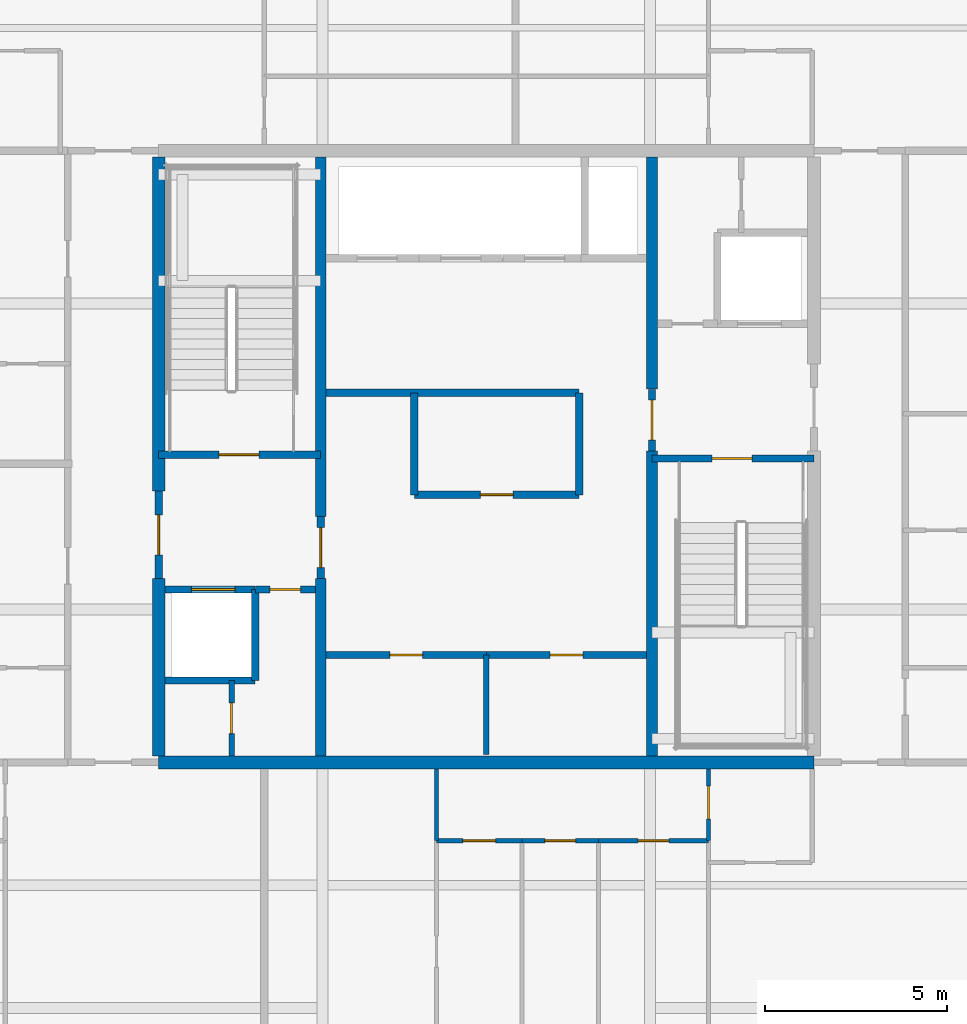
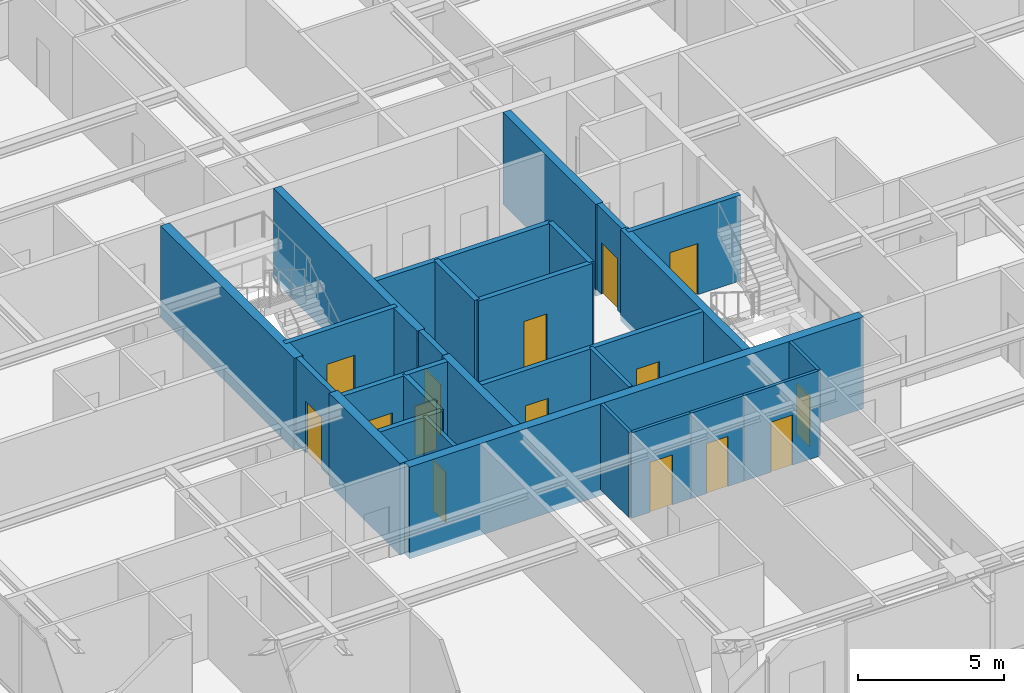
# One storey, part 27 of 37: 29 walls, 15 doors, 15 openings.
"""IFC4 building model written with IfcOpenShell, lengths in metres."""

import ifcopenshell
import ifcopenshell.guid

model = None  # the IFC model being written
_history = None  # IfcOwnerHistory: only IFC2X3 demands one
_inside = {}  # id of a spatial element -> (the spatial element, [elements in it])
_under = {}  # id of a project, library or spatial element -> (it, [spatial elements below it])
_declared = {}  # id of a project -> (the project, [libraries it declares])
_typed = {}  # id of a type object -> (the type object, [elements of that type])
_made_of = {}  # id of a material, layer set ... -> (it, [elements and type objects made of it])


def new_model(schema):
    """Start an empty IFC model of exactly this schema.

    Asked for "IFC4X3", IfcOpenShell would pick the latest addendum, in which some entities
    have other attributes; the version numbers below select the first issue.
    IFC2X3 requires an IfcOwnerHistory on every rooted entity: one is made here for all.
    """
    global model, _history
    if schema == "IFC4X3":
        model = ifcopenshell.file(schema_version=(4, 3, 0, 0))
    else:
        model = ifcopenshell.file(schema=schema)
    _inside.clear()
    _under.clear()
    _declared.clear()
    _typed.clear()
    _made_of.clear()
    _history = None
    if model.schema == "IFC2X3":
        org = make("IfcOrganization", Name="unknown")
        user = make(
            "IfcPersonAndOrganization",
            ThePerson=make("IfcPerson", FamilyName="unknown"),
            TheOrganization=org,
        )
        app = make(
            "IfcApplication",
            ApplicationDeveloper=org,
            Version="unknown",
            ApplicationFullName="unknown",
            ApplicationIdentifier="unknown",
        )
        _history = make(
            "IfcOwnerHistory",
            OwningUser=user,
            OwningApplication=app,
            ChangeAction="ADDED",
            CreationDate=0,
        )
    return model


def make(cls, **values):
    """One entity of the class cls with the attributes given. An attribute that is None is left unset."""
    return model.create_entity(
        cls, **{name: value for name, value in values.items() if value is not None}
    )


def rooted(cls, **values):
    """An entity with a GlobalId (a new one), such as an element, a storey or a relation."""
    return make(cls, GlobalId=ifcopenshell.guid.new(), OwnerHistory=_history, **values)


def si_unit(unit_type, name, prefix=None):
    """IfcSIUnit, for example si_unit("LENGTHUNIT", "METRE", prefix="MILLI")."""
    return make("IfcSIUnit", UnitType=unit_type, Prefix=prefix, Name=name)


def assignment(units):
    """IfcUnitAssignment: the units of a project."""
    return None if units is None else make("IfcUnitAssignment", Units=units)


def point(xyz):
    """IfcCartesianPoint."""
    return None if xyz is None else make("IfcCartesianPoint", Coordinates=xyz)


def direction(xyz):
    """IfcDirection."""
    return None if xyz is None else make("IfcDirection", DirectionRatios=xyz)


def frame(location, z_axis=None, x_axis=None):
    """IfcAxis2Placement3D, a coordinate frame: its origin and axes. An axis left out is left unset."""
    return make(
        "IfcAxis2Placement3D",
        Location=point(location),
        Axis=direction(z_axis),
        RefDirection=direction(x_axis),
    )


def frame_2d(location, x_axis=None):
    """IfcAxis2Placement2D, a coordinate frame in the plane: its origin and x axis."""
    return make(
        "IfcAxis2Placement2D", Location=point(location), RefDirection=direction(x_axis)
    )


def origin():
    """The frame at (0, 0, 0) with its axes left unset."""
    return frame((0.0, 0.0, 0.0))


def place(relative_to, where):
    """IfcLocalPlacement: puts the frame where relative to a parent placement (None: the world)."""
    return make(
        "IfcLocalPlacement", PlacementRelTo=relative_to, RelativePlacement=where
    )


def context(
    kind, dimensions, precision=None, world=None, true_north=None, identifier=None
):
    """IfcGeometricRepresentationContext, for example the 3D "Model" context."""
    return make(
        "IfcGeometricRepresentationContext",
        ContextIdentifier=identifier,
        ContextType=kind,
        CoordinateSpaceDimension=dimensions,
        Precision=precision,
        WorldCoordinateSystem=world,
        TrueNorth=true_north,
    )


def subcontext(parent, identifier, kind, view, scale=None):
    """IfcGeometricRepresentationSubContext, for example "Body" below "Model"."""
    return make(
        "IfcGeometricRepresentationSubContext",
        ContextIdentifier=identifier,
        ContextType=kind,
        ParentContext=parent,
        TargetScale=scale,
        TargetView=view,
    )


def project(units=None, contexts=None):
    """IfcProject with its units and contexts."""
    return rooted(
        "IfcProject",
        Name="project",
        RepresentationContexts=contexts,
        UnitsInContext=assignment(units),
    )


def spatial(cls, under=None, at=None, **own):
    """A site, building, storey or space (cls), placed at a placement, below another one or the project."""
    s = rooted(cls, ObjectPlacement=at, **own)
    if under is not None:
        _under.setdefault(under.id(), (under, []))[1].append(s)
    return s


def profile(cls, at=None, kind="AREA", **sizes):
    """A parametric profile (cls). Its sizes go by their IFC names, for example OverallWidth=200.0."""
    return make(cls, ProfileType=kind, Position=at, **sizes)


def rectangle(**sizes):
    """IfcRectangleProfileDef."""
    return profile("IfcRectangleProfileDef", **sizes)


def extrude(swept, where, along, depth):
    """IfcExtrudedAreaSolid: the profile swept, set in the frame where, extruded along a direction by depth."""
    return make(
        "IfcExtrudedAreaSolid",
        SweptArea=swept,
        Position=where,
        ExtrudedDirection=direction(along),
        Depth=depth,
    )


def shape(context_of_items, identifier, shape_type, items):
    """IfcShapeRepresentation: the items that make up one representation, for example the "Body"."""
    return make(
        "IfcShapeRepresentation",
        ContextOfItems=context_of_items,
        RepresentationIdentifier=identifier,
        RepresentationType=shape_type,
        Items=items,
    )


def source(mapping_origin, context_of_items, identifier, shape_type, items):
    """IfcRepresentationMap: a shape defined once, which mapped items show again and again."""
    return make(
        "IfcRepresentationMap",
        MappingOrigin=mapping_origin,
        MappedRepresentation=shape(context_of_items, identifier, shape_type, items),
    )


def transform(
    local_origin,
    x_axis=None,
    y_axis=None,
    z_axis=None,
    scale=None,
    scale2=None,
    scale3=None,
    uniform=True,
):
    """IfcCartesianTransformationOperator3D, or its non-uniform kind. x_axis, y_axis, z_axis: its Axis1, 2, 3."""
    if uniform:
        return make(
            "IfcCartesianTransformationOperator3D",
            Axis1=direction(x_axis),
            Axis2=direction(y_axis),
            LocalOrigin=point(local_origin),
            Scale=scale,
            Axis3=direction(z_axis),
        )
    return make(
        "IfcCartesianTransformationOperator3DnonUniform",
        Axis1=direction(x_axis),
        Axis2=direction(y_axis),
        LocalOrigin=point(local_origin),
        Scale=scale,
        Axis3=direction(z_axis),
        Scale2=scale2,
        Scale3=scale3,
    )


def mapped(mapping_source, mapping_target):
    """IfcMappedItem: shows the shape of a source again, moved by a transform."""
    return make(
        "IfcMappedItem", MappingSource=mapping_source, MappingTarget=mapping_target
    )


def material(Name=None, Category=None):
    """IfcMaterial."""
    return make("IfcMaterial", Name=Name, Category=Category)


def layer(
    of_material, thickness, ventilated=None, Name=None, Category=None, Priority=None
):
    """IfcMaterialLayer: one layer of a wall or slab, of a material (None: an air gap)."""
    return make(
        "IfcMaterialLayer",
        Material=of_material,
        LayerThickness=thickness,
        IsVentilated=ventilated,
        Name=Name,
        Category=Category,
        Priority=Priority,
    )


def layer_set(layers, Name=None):
    """IfcMaterialLayerSet."""
    return make("IfcMaterialLayerSet", MaterialLayers=layers, LayerSetName=Name)


def made_of(thing, what):
    """Note that an element or type object is made of a material, layer set ...; save() writes the relation."""
    if what is not None:
        _made_of.setdefault(what.id(), (what, []))[1].append(thing)
    return thing


def type_object(cls, material=None, **own):
    """A type object (cls), such as IfcWallType, which elements share."""
    return made_of(rooted(cls, **own), material)


def element(
    cls,
    number,
    at=None,
    inside=None,
    cuts=None,
    type_object=None,
    material=None,
    context=None,
    identifier="Body",
    shape_type=None,
    held_by="IfcProductDefinitionShape",
    body=None,
    shapes=None,
    **own,
):
    """One element of the class cls, such as IfcWall. Its Tag is "e" and its number.

    at: its placement. inside: the storey or other place that contains it. cuts: it is an
    opening in that element (IfcRelVoidsElement). A single representation is given by context,
    identifier, shape_type and body (its items); several are given by shapes. held_by: the class
    of the entity that holds the representations. save() writes the other relations.
    """
    e = rooted(cls, Tag="e%d" % number, ObjectPlacement=at, **own)
    if body is not None:
        shapes = [shape(context, identifier, shape_type, body)]
    if shapes is not None:
        e.Representation = make(held_by, Representations=shapes)
    if inside is not None:
        _inside.setdefault(inside.id(), (inside, []))[1].append(e)
    if cuts is not None:
        rooted(
            "IfcRelVoidsElement", RelatingBuildingElement=cuts, RelatedOpeningElement=e
        )
    if type_object is not None:
        _typed.setdefault(type_object.id(), (type_object, []))[1].append(e)
    return made_of(e, material)


def fill(opening, filler):
    """IfcRelFillsElement: the door or window that sits in an opening."""
    return rooted(
        "IfcRelFillsElement",
        RelatingOpeningElement=opening,
        RelatedBuildingElement=filler,
    )


def aggregate(whole, parts):
    """IfcRelAggregates: a whole, such as a stair, and the parts it consists of."""
    return rooted("IfcRelAggregates", RelatingObject=whole, RelatedObjects=parts)


def save(model, path):
    """Write the relations noted so far, then the file.

    IfcRelAggregates (storeys below a building ...), IfcRelContainedInSpatialStructure (elements
    in a storey), IfcRelDefinesByType, IfcRelAssociatesMaterial and IfcRelDeclares: one each for
    every whole, place, type object, material and project.
    """
    for whole, parts in _under.values():
        aggregate(whole, parts)
    for where, things in _inside.values():
        rooted(
            "IfcRelContainedInSpatialStructure",
            RelatedElements=things,
            RelatingStructure=where,
        )
    for kind, things in _typed.values():
        rooted("IfcRelDefinesByType", RelatedObjects=things, RelatingType=kind)
    for what, things in _made_of.values():
        rooted("IfcRelAssociatesMaterial", RelatedObjects=things, RelatingMaterial=what)
    for by, libraries in _declared.values():
        rooted("IfcRelDeclares", RelatingContext=by, RelatedDefinitions=libraries)
    model.write(path)


model = new_model("IFC4")

# Units and contexts
model_context = context("Model", 3, precision=1e-05, world=origin(), true_north=direction((0.0, 1.0)))
body_context = subcontext(model_context, "Body", "Model", "MODEL_VIEW")
ifc_project = project(units=[si_unit("LENGTHUNIT", "METRE"), si_unit("AREAUNIT", "SQUARE_METRE"), si_unit("VOLUMEUNIT", "CUBIC_METRE"), si_unit("PLANEANGLEUNIT", "RADIAN"), si_unit("MASSUNIT", "GRAM", prefix="KILO")], contexts=[model_context])

# Site, building, storey
site_placement = place(None, origin())
site = spatial("IfcSite", under=ifc_project, at=site_placement, CompositionType="ELEMENT")
building_placement = place(site_placement, origin())
building = spatial("IfcBuilding", under=site, at=building_placement, Name="Serunith Strait Residences", CompositionType="ELEMENT")
storey_placement = place(building_placement, frame((0.0, 0.0, 275.89990234375)))
storey = spatial("IfcBuildingStorey", under=building, at=storey_placement, Name="L69", CompositionType="ELEMENT", Elevation=275.89990234375)

# Wall, opening, door
ifc_material_1 = material(Name="Fire-rated masonry service closet wall", Category="masonry")
ifc_layer_1 = layer(ifc_material_1, 0.14990234375, Name="Fire-rated masonry service closet wall")
ifc_layer_set_1 = layer_set([ifc_layer_1], Name="Fire-rated masonry service closet wall")
wall_type_1 = type_object("IfcWallType", Name="IW-BOH-150", PredefinedType="PARTITIONING", material=ifc_layer_set_1)
wall_1_placement = place(storey_placement, frame((25.39990234375, 16.97509765625, 0.0), z_axis=(0.0, 0.0, 1.0), x_axis=(0.0, 1.0, 0.0)))
wall_1 = element("IfcWall", 1, at=wall_1_placement, inside=storey, type_object=wall_type_1, Name="L69 Partition Wall 011", PredefinedType="PARTITIONING", context=body_context, shape_type="SweptSolid", body=[
    extrude(rectangle(XDim=2.074951171875, YDim=0.14990234375, at=frame_2d((1.03759765625, 0.0))), origin(), (0.0, 0.0, 1.0), 3.590087890625),
])
opening_1_placement = place(wall_1_placement, frame((0.612060546875, 0.0, 0.0)))
opening_1 = element("IfcOpeningElement", 2, at=opening_1_placement, cuts=wall_1, Name="Opening FD-850", PredefinedType="OPENING", context=body_context, shape_type="SweptSolid", body=[
    extrude(rectangle(XDim=0.85009765625, YDim=2.10009765625, at=frame_2d((0.425048828125, 1.050048828125))), frame((0.0, 0.0849609375, 0.0), z_axis=(0.0, -1.0, 0.0), x_axis=(1.0, 0.0, 0.0)), (0.0, 0.0, 1.0), 0.169921875),
])
ifc_material_2 = material(Name="Powder-coated steel service closet door", Category="steel")
door_type_1 = type_object("IfcDoorType", Name="FD-BOH-850", OperationType="NOTDEFINED", PredefinedType="DOOR", material=ifc_material_2)
shared_shape_1 = source(origin(), body_context, "Body", "SweptSolid", [
    extrude(rectangle(XDim=0.85009765625, YDim=2.10009765625, at=frame_2d((0.425048828125, 1.050048828125))), frame((0.0, 0.02490234375, 0.0), z_axis=(0.0, -1.0, 0.0), x_axis=(1.0, 0.0, 0.0)), (0.0, 0.0, 1.0), 0.050048828125),
])
door_1_placement = place(opening_1_placement, origin())
door_1 = element("IfcDoor", 3, at=door_1_placement, inside=storey, type_object=door_type_1, Name="L69 Sprinkler Plant Door", OperationType="SINGLE_SWING_RIGHT", OverallHeight=2.10009765625, OverallWidth=0.85009765625, PredefinedType="DOOR", context=body_context, shape_type="MappedRepresentation", body=[
    mapped(shared_shape_1, transform((0.0, 0.0, 0.0), scale=1.0)),
])
fill(opening_1, door_1)

# Wall
wall_2_placement = place(storey_placement, frame((32.39990234375, 17.02001953125, 0.0), z_axis=(0.0, 0.0, 1.0), x_axis=(0.0, 1.0, 0.0)))
element("IfcWall", 4, at=wall_2_placement, inside=storey, type_object=wall_type_1, Name="L69 Partition Wall 015", PredefinedType="PARTITIONING", context=body_context, shape_type="SweptSolid", body=[
    extrude(rectangle(XDim=2.72998046875, YDim=0.14990234375, at=frame_2d((1.364990234375, 0.0))), origin(), (0.0, 0.0, 1.0), 3.590087890625),
])

# Wall, opening, door
ifc_material_3 = material(Name="Lightweight steel-stud gypsum partition", Category="steel")
ifc_layer_2 = layer(ifc_material_3, 0.1201171875, Name="Lightweight steel-stud gypsum partition")
ifc_layer_set_2 = layer_set([ifc_layer_2], Name="Lightweight steel-stud gypsum partition")
wall_type_2 = type_object("IfcWallType", Name="IW-PART-120", PredefinedType="PARTITIONING", material=ifc_layer_set_2)
wall_3_placement = place(storey_placement, frame((38.5, 14.64990234375, 0.0), z_axis=(0.0, 0.0, 1.0), x_axis=(0.0, 1.0, 0.0)))
wall_3 = element("IfcWall", 5, at=wall_3_placement, inside=storey, type_object=wall_type_2, Name="L69 Partition Wall 048", PredefinedType="PARTITIONING", context=body_context, shape_type="SweptSolid", body=[
    extrude(rectangle(XDim=1.97509765625, YDim=0.1201171875, at=frame_2d((0.987548828125, 0.0))), origin(), (0.0, 0.0, 1.0), 3.590087890625),
])
opening_2_placement = place(wall_3_placement, frame((0.60107421875, 0.0, 0.0)))
opening_2 = element("IfcOpeningElement", 6, at=opening_2_placement, cuts=wall_3, Name="Opening D-RM900", PredefinedType="OPENING", context=body_context, shape_type="SweptSolid", body=[
    extrude(rectangle(XDim=0.89990234375, YDim=2.10009765625, at=frame_2d((0.449951171875, 1.050048828125))), frame((0.0, 0.070068359375, 0.0), z_axis=(0.0, -1.0, 0.0), x_axis=(1.0, 0.0, 0.0)), (0.0, 0.0, 1.0), 0.14013671875),
])
ifc_material_4 = material(Name="Engineered timber flush bedroom door", Category="wood")
door_type_2 = type_object("IfcDoorType", Name="ID-ROOM-900", OperationType="NOTDEFINED", PredefinedType="DOOR", material=ifc_material_4)
shared_shape_2 = source(origin(), body_context, "Body", "SweptSolid", [
    extrude(rectangle(XDim=0.89990234375, YDim=2.10009765625, at=frame_2d((0.449951171875, 1.050048828125))), frame((0.0, 0.02490234375, 0.0), z_axis=(0.0, -1.0, 0.0), x_axis=(1.0, 0.0, 0.0)), (0.0, 0.0, 1.0), 0.050048828125),
])
door_2_placement = place(opening_2_placement, origin())
door_2 = element("IfcDoor", 7, at=door_2_placement, inside=storey, type_object=door_type_2, Name="L69 Hall W 6902 Door", OperationType="SINGLE_SWING_RIGHT", OverallHeight=2.10009765625, OverallWidth=0.89990234375, PredefinedType="DOOR", context=body_context, shape_type="MappedRepresentation", body=[
    mapped(shared_shape_2, transform((0.0, 0.0, 0.0), scale=1.0)),
])
fill(opening_2, door_2)

wall_4_placement = place(storey_placement, frame((33.3798828125, 14.64990234375, 0.0), z_axis=(0.0, 0.0, 1.0), x_axis=(1.0, 0.0, 0.0)))
wall_4 = element("IfcWall", 8, at=wall_4_placement, inside=storey, type_object=wall_type_2, Name="L69 Partition Wall 054", PredefinedType="PARTITIONING", context=body_context, shape_type="SweptSolid", body=[
    extrude(rectangle(XDim=2.10009765625, YDim=0.1201171875, at=frame_2d((1.050048828125, 0.0))), origin(), (0.0, 0.0, 1.0), 3.590087890625),
])
opening_3_placement = place(wall_4_placement, frame((0.625, 0.0, 0.0)))
opening_3 = element("IfcOpeningElement", 9, at=opening_3_placement, cuts=wall_4, Name="Opening D-BTH850", PredefinedType="OPENING", context=body_context, shape_type="SweptSolid", body=[
    extrude(rectangle(XDim=0.85009765625, YDim=2.10009765625, at=frame_2d((0.425048828125, 1.050048828125))), frame((0.0, 0.070068359375, 0.0), z_axis=(0.0, -1.0, 0.0), x_axis=(1.0, 0.0, 0.0)), (0.0, 0.0, 1.0), 0.14013671875),
])
ifc_material_5 = material(Name="Moisture-resistant timber bathroom door", Category="wood")
door_type_3 = type_object("IfcDoorType", Name="ID-BATH-850", OperationType="NOTDEFINED", PredefinedType="DOOR", material=ifc_material_5)
door_3_placement = place(opening_3_placement, origin())
door_3 = element("IfcDoor", 10, at=door_3_placement, inside=storey, type_object=door_type_3, Name="L69 Bathroom 6902 Door", OperationType="SINGLE_SWING_RIGHT", OverallHeight=2.10009765625, OverallWidth=0.85009765625, PredefinedType="DOOR", context=body_context, shape_type="MappedRepresentation", body=[
    mapped(shared_shape_1, transform((0.0, 0.0, 0.0), scale=1.0)),
])
fill(opening_3, door_3)

wall_5_placement = place(storey_placement, frame((35.48193359375, 14.64990234375, 0.0), z_axis=(0.0, 0.0, 1.0), x_axis=(1.0, 0.0, 0.0)))
wall_5 = element("IfcWall", 11, at=wall_5_placement, inside=storey, type_object=wall_type_2, Name="L69 Partition Wall 055", PredefinedType="PARTITIONING", context=body_context, shape_type="SweptSolid", body=[
    extrude(rectangle(XDim=3.01806640625, YDim=0.1201171875, at=frame_2d((1.509033203125, 0.0))), origin(), (0.0, 0.0, 1.0), 3.590087890625),
])
opening_4_placement = place(wall_5_placement, frame((1.083984375, 0.0, 0.0)))
opening_4 = element("IfcOpeningElement", 12, at=opening_4_placement, cuts=wall_5, Name="Opening D-RM850", PredefinedType="OPENING", context=body_context, shape_type="SweptSolid", body=[
    extrude(rectangle(XDim=0.85009765625, YDim=2.10009765625, at=frame_2d((0.425048828125, 1.050048828125))), frame((0.0, 0.070068359375, 0.0), z_axis=(0.0, -1.0, 0.0), x_axis=(1.0, 0.0, 0.0)), (0.0, 0.0, 1.0), 0.14013671875),
])
ifc_material_6 = material(Name="Engineered timber flush study and kitchen door", Category="wood")
door_type_4 = type_object("IfcDoorType", Name="ID-ROOM-850", OperationType="NOTDEFINED", PredefinedType="DOOR", material=ifc_material_6)
door_4_placement = place(opening_4_placement, origin())
door_4 = element("IfcDoor", 13, at=door_4_placement, inside=storey, type_object=door_type_4, Name="L69 Formal Dining Room 6902 Door", OperationType="SINGLE_SWING_LEFT", OverallHeight=2.10009765625, OverallWidth=0.85009765625, PredefinedType="DOOR", context=body_context, shape_type="MappedRepresentation", body=[
    mapped(shared_shape_1, transform((0.0, 0.0, 0.0), scale=1.0)),
])
fill(opening_4, door_4)

wall_6_placement = place(storey_placement, frame((31.030029296875, 14.64990234375, 0.0), z_axis=(0.0, 0.0, 1.0), x_axis=(1.0, 0.0, 0.0)))
wall_6 = element("IfcWall", 14, at=wall_6_placement, inside=storey, type_object=wall_type_2, Name="L69 Partition Wall 056", PredefinedType="PARTITIONING", context=body_context, shape_type="SweptSolid", body=[
    extrude(rectangle(XDim=2.347900390625, YDim=0.1201171875, at=frame_2d((1.173828125, 0.0))), origin(), (0.0, 0.0, 1.0), 3.590087890625),
])
opening_5_placement = place(wall_6_placement, frame((0.72412109375, 0.0, 0.0)))
opening_5 = element("IfcOpeningElement", 15, at=opening_5_placement, cuts=wall_6, Name="Opening D-RM900", PredefinedType="OPENING", context=body_context, shape_type="SweptSolid", body=[
    extrude(rectangle(XDim=0.89990234375, YDim=2.10009765625, at=frame_2d((0.449951171875, 1.050048828125))), frame((0.0, 0.070068359375, 0.0), z_axis=(0.0, -1.0, 0.0), x_axis=(1.0, 0.0, 0.0)), (0.0, 0.0, 1.0), 0.14013671875),
])
door_5_placement = place(opening_5_placement, origin())
door_5 = element("IfcDoor", 16, at=door_5_placement, inside=storey, type_object=door_type_2, Name="L69 Master Bedroom W 6902 Door", OperationType="SINGLE_SWING_RIGHT", OverallHeight=2.10009765625, OverallWidth=0.89990234375, PredefinedType="DOOR", context=body_context, shape_type="MappedRepresentation", body=[
    mapped(shared_shape_2, transform((0.0, 0.0, 0.0), scale=1.0)),
])
fill(opening_5, door_5)

# Wall
wall_7_placement = place(storey_placement, frame((31.030029296875, 14.652099609375, 0.0), z_axis=(0.0, 0.0, 1.0), x_axis=(0.0, 1.0, 0.0)))
element("IfcWall", 17, at=wall_7_placement, inside=storey, type_object=wall_type_2, Name="L69 Partition Wall 061", PredefinedType="PARTITIONING", context=body_context, shape_type="SweptSolid", body=[
    extrude(rectangle(XDim=1.972900390625, YDim=0.1201171875, at=frame_2d((0.986328125, 0.0))), origin(), (0.0, 0.0, 1.0), 3.590087890625),
])

# Wall, opening, door
ifc_material_7 = material(Name="Autoclaved aerated concrete blockwork", Category="masonry")
ifc_layer_3 = layer(ifc_material_7, 0.199951171875, Name="Autoclaved aerated concrete blockwork")
ifc_layer_set_3 = layer_set([ifc_layer_3], Name="Autoclaved aerated concrete blockwork")
wall_type_3 = type_object("IfcWallType", Name="IW-SHAFT-200", PredefinedType="STANDARD", material=ifc_layer_set_3)
wall_8_placement = place(storey_placement, frame((23.39990234375, 25.25, 0.0), z_axis=(0.0, 0.0, 1.0), x_axis=(1.0, 0.0, 0.0)))
wall_8 = element("IfcWall", 18, at=wall_8_placement, inside=storey, type_object=wall_type_3, Name="L69 ST-1 South Shaft Wall", PredefinedType="STANDARD", context=body_context, shape_type="SweptSolid", body=[
    extrude(rectangle(XDim=4.4501953125, YDim=0.199951171875, at=frame_2d((2.22509765625, 0.0))), origin(), (0.0, 0.0, 1.0), 3.590087890625),
])
opening_6_placement = place(wall_8_placement, frame((1.64990234375, 0.0, 0.0)))
opening_6 = element("IfcOpeningElement", 19, at=opening_6_placement, cuts=wall_8, Name="Opening FD-1100", PredefinedType="OPENING", context=body_context, shape_type="SweptSolid", body=[
    extrude(rectangle(XDim=1.10009765625, YDim=2.14990234375, at=frame_2d((0.550048828125, 1.074951171875))), frame((0.0, 0.10986328125, 0.0), z_axis=(0.0, -1.0, 0.0), x_axis=(1.0, 0.0, 0.0)), (0.0, 0.0, 1.0), 0.219970703125),
])
ifc_material_8 = material(Name="Galvanised steel fire door leaf", Category="steel")
door_type_5 = type_object("IfcDoorType", Name="FD-STAIR-1100", OperationType="NOTDEFINED", PredefinedType="DOOR", material=ifc_material_8)
shared_shape_3 = source(origin(), body_context, "Body", "SweptSolid", [
    extrude(rectangle(XDim=1.10009765625, YDim=2.14990234375, at=frame_2d((0.550048828125, 1.074951171875))), frame((0.0, 0.02490234375, 0.0), z_axis=(0.0, -1.0, 0.0), x_axis=(1.0, 0.0, 0.0)), (0.0, 0.0, 1.0), 0.050048828125),
])
door_6_placement = place(opening_6_placement, origin())
door_6 = element("IfcDoor", 20, at=door_6_placement, inside=storey, type_object=door_type_5, Name="L69 ST-1 Escape Stair Door", OperationType="SINGLE_SWING_LEFT", OverallHeight=2.14990234375, OverallWidth=1.10009765625, PredefinedType="DOOR", context=body_context, shape_type="MappedRepresentation", body=[
    mapped(shared_shape_3, transform((0.0, 0.0, 0.0), scale=1.0)),
])
fill(opening_6, door_6)

wall_9_placement = place(storey_placement, frame((36.949951171875, 25.14990234375, 0.0), z_axis=(0.0, 0.0, 1.0), x_axis=(1.0, 0.0, 0.0)))
wall_9 = element("IfcWall", 21, at=wall_9_placement, inside=storey, type_object=wall_type_3, Name="L69 ST-2 North Shaft Wall", PredefinedType="STANDARD", context=body_context, shape_type="SweptSolid", body=[
    extrude(rectangle(XDim=4.449951171875, YDim=0.199951171875, at=frame_2d((2.22509765625, 0.0))), origin(), (0.0, 0.0, 1.0), 3.590087890625),
])
opening_7_placement = place(wall_9_placement, frame((1.64990234375, 0.0, 0.0)))
opening_7 = element("IfcOpeningElement", 22, at=opening_7_placement, cuts=wall_9, Name="Opening FD-1100", PredefinedType="OPENING", context=body_context, shape_type="SweptSolid", body=[
    extrude(rectangle(XDim=1.10009765625, YDim=2.14990234375, at=frame_2d((0.550048828125, 1.074951171875))), frame((0.0, 0.10986328125, 0.0), z_axis=(0.0, -1.0, 0.0), x_axis=(1.0, 0.0, 0.0)), (0.0, 0.0, 1.0), 0.219970703125),
])
door_7_placement = place(opening_7_placement, origin())
door_7 = element("IfcDoor", 23, at=door_7_placement, inside=storey, type_object=door_type_5, Name="L69 ST-2 Escape Stair Door", OperationType="SINGLE_SWING_RIGHT", OverallHeight=2.14990234375, OverallWidth=1.10009765625, PredefinedType="DOOR", context=body_context, shape_type="MappedRepresentation", body=[
    mapped(shared_shape_3, transform((0.0, 0.0, 0.0), scale=1.0)),
])
fill(opening_7, door_7)

wall_10_placement = place(storey_placement, frame((23.574951171875, 21.550048828125, 0.0), z_axis=(0.0, 0.0, 1.0), x_axis=(1.0, 0.0, 0.0)))
wall_10 = element("IfcWall", 24, at=wall_10_placement, inside=storey, type_object=wall_type_3, Name="L69 FL-1 North Shaft Wall", PredefinedType="STANDARD", context=body_context, shape_type="SweptSolid", body=[
    extrude(rectangle(XDim=2.47509765625, YDim=0.199951171875, at=frame_2d((1.237548828125, 0.0))), origin(), (0.0, 0.0, 1.0), 3.590087890625),
])
opening_8_placement = place(wall_10_placement, frame((0.72509765625, 0.0, 0.0)))
opening_8 = element("IfcOpeningElement", 25, at=opening_8_placement, cuts=wall_10, Name="Opening LD-FF1200", PredefinedType="OPENING", context=body_context, shape_type="SweptSolid", body=[
    extrude(rectangle(XDim=1.199951171875, YDim=2.199951171875, at=frame_2d((0.60009765625, 1.10009765625))), frame((0.0, 0.10986328125, 0.0), z_axis=(0.0, -1.0, 0.0), x_axis=(1.0, 0.0, 0.0)), (0.0, 0.0, 1.0), 0.219970703125),
])
ifc_material_9 = material(Name="Brushed stainless steel landing door", Category="steel")
door_type_6 = type_object("IfcDoorType", Name="LD-FF-1200", OperationType="DOUBLE_DOOR_SLIDING", PredefinedType="DOOR", material=ifc_material_9)
shared_shape_4 = source(origin(), body_context, "Body", "SweptSolid", [
    extrude(rectangle(XDim=1.199951171875, YDim=2.199951171875, at=frame_2d((0.60009765625, 1.10009765625))), frame((0.0, 0.02490234375, 0.0), z_axis=(0.0, -1.0, 0.0), x_axis=(1.0, 0.0, 0.0)), (0.0, 0.0, 1.0), 0.050048828125),
])
door_8_placement = place(opening_8_placement, origin())
door_8 = element("IfcDoor", 26, at=door_8_placement, inside=storey, type_object=door_type_6, Name="L69 FL-1 Landing Door", OperationType="DOUBLE_DOOR_SLIDING", OverallHeight=2.199951171875, OverallWidth=1.199951171875, PredefinedType="DOOR", context=body_context, shape_type="MappedRepresentation", body=[
    mapped(shared_shape_4, transform((0.0, 0.0, 0.0), scale=1.0)),
])
fill(opening_8, door_8)

# Walls
wall_11_placement = place(storey_placement, frame((26.050048828125, 19.050048828125, 0.0), z_axis=(0.0, 0.0, 1.0), x_axis=(0.0, 1.0, 0.0)))
element("IfcWall", 27, at=wall_11_placement, inside=storey, type_object=wall_type_3, Name="L69 Partition Wall 001", PredefinedType="STANDARD", context=body_context, shape_type="SweptSolid", body=[
    extrude(rectangle(XDim=2.5, YDim=0.199951171875, at=frame_2d((1.25, 0.0))), origin(), (0.0, 0.0, 1.0), 3.590087890625),
])
wall_12_placement = place(storey_placement, frame((23.574951171875, 19.050048828125, 0.0), z_axis=(0.0, 0.0, 1.0), x_axis=(1.0, 0.0, 0.0)))
element("IfcWall", 28, at=wall_12_placement, inside=storey, type_object=wall_type_3, Name="L69 Partition Wall 002", PredefinedType="STANDARD", context=body_context, shape_type="SweptSolid", body=[
    extrude(rectangle(XDim=2.47509765625, YDim=0.199951171875, at=frame_2d((1.237548828125, 0.0))), origin(), (0.0, 0.0, 1.0), 3.590087890625),
])

# Wall, opening, door
wall_13_placement = place(storey_placement, frame((26.052001953125, 21.550048828125, 0.0), z_axis=(0.0, 0.0, 1.0), x_axis=(1.0, 0.0, 0.0)))
wall_13 = element("IfcWall", 29, at=wall_13_placement, inside=storey, type_object=wall_type_3, Name="L69 Partition Wall 003", PredefinedType="STANDARD", context=body_context, shape_type="SweptSolid", body=[
    extrude(rectangle(XDim=1.64794921875, YDim=0.199951171875, at=frame_2d((0.823974609375, 0.0))), origin(), (0.0, 0.0, 1.0), 3.590087890625),
])
opening_9_placement = place(wall_13_placement, frame((0.39892578125, 0.0, 0.0)))
opening_9 = element("IfcOpeningElement", 30, at=opening_9_placement, cuts=wall_13, Name="Opening FD-850", PredefinedType="OPENING", context=body_context, shape_type="SweptSolid", body=[
    extrude(rectangle(XDim=0.85009765625, YDim=2.10009765625, at=frame_2d((0.425048828125, 1.050048828125))), frame((0.0, 0.10986328125, 0.0), z_axis=(0.0, -1.0, 0.0), x_axis=(1.0, 0.0, 0.0)), (0.0, 0.0, 1.0), 0.219970703125),
])
door_9_placement = place(opening_9_placement, origin())
door_9 = element("IfcDoor", 31, at=door_9_placement, inside=storey, type_object=door_type_1, Name="L69 South-West Core Service Door", OperationType="SINGLE_SWING_RIGHT", OverallHeight=2.10009765625, OverallWidth=0.85009765625, PredefinedType="DOOR", context=body_context, shape_type="MappedRepresentation", body=[
    mapped(shared_shape_1, transform((0.0, 0.0, 0.0), scale=1.0)),
])
fill(opening_9, door_9)

wall_14_placement = place(storey_placement, frame((23.39990234375, 21.85205078125, 0.0), z_axis=(0.0, 0.0, 1.0), x_axis=(0.0, 1.0, 0.0)))
wall_14 = element("IfcWall", 32, at=wall_14_placement, inside=storey, type_object=wall_type_3, Name="L69 Partition Wall 007", PredefinedType="STANDARD", context=body_context, shape_type="SweptSolid", body=[
    extrude(rectangle(XDim=2.39599609375, YDim=0.199951171875, at=frame_2d((1.197998046875, 0.0))), origin(), (0.0, 0.0, 1.0), 3.590087890625),
])
opening_10_placement = place(wall_14_placement, frame((0.64794921875, 0.0, 0.0)))
opening_10 = element("IfcOpeningElement", 33, at=opening_10_placement, cuts=wall_14, Name="Opening FD-FFL", PredefinedType="OPENING", context=body_context, shape_type="SweptSolid", body=[
    extrude(rectangle(XDim=1.10009765625, YDim=2.14990234375, at=frame_2d((0.550048828125, 1.074951171875))), frame((0.0, 0.10986328125, 0.0), z_axis=(0.0, -1.0, 0.0), x_axis=(1.0, 0.0, 0.0)), (0.0, 0.0, 1.0), 0.219970703125),
])
ifc_material_10 = material(Name="Glazed steel smoke-lobby fire door", Category="steel")
door_type_7 = type_object("IfcDoorType", Name="FD-FFL-1100", OperationType="NOTDEFINED", PredefinedType="DOOR", material=ifc_material_10)
door_10_placement = place(opening_10_placement, origin())
door_10 = element("IfcDoor", 34, at=door_10_placement, inside=storey, type_object=door_type_7, Name="L69 FFL-1 Corridor Fire Door", OperationType="SINGLE_SWING_RIGHT", OverallHeight=2.14990234375, OverallWidth=1.10009765625, PredefinedType="DOOR", context=body_context, shape_type="MappedRepresentation", body=[
    mapped(shared_shape_3, transform((0.0, 0.0, 0.0), scale=1.0)),
])
fill(opening_10, door_10)

wall_15_placement = place(storey_placement, frame((27.85009765625, 21.85205078125, 0.0), z_axis=(0.0, 0.0, 1.0), x_axis=(0.0, 1.0, 0.0)))
wall_15 = element("IfcWall", 35, at=wall_15_placement, inside=storey, type_object=wall_type_3, Name="L69 Partition Wall 009", PredefinedType="STANDARD", context=body_context, shape_type="SweptSolid", body=[
    extrude(rectangle(XDim=1.696044921875, YDim=0.199951171875, at=frame_2d((0.84814453125, 0.0))), origin(), (0.0, 0.0, 1.0), 3.590087890625),
])
opening_11_placement = place(wall_15_placement, frame((0.298095703125, 0.0, 0.0)))
opening_11 = element("IfcOpeningElement", 36, at=opening_11_placement, cuts=wall_15, Name="Opening FD-FFL", PredefinedType="OPENING", context=body_context, shape_type="SweptSolid", body=[
    extrude(rectangle(XDim=1.10009765625, YDim=2.14990234375, at=frame_2d((0.550048828125, 1.074951171875))), frame((0.0, 0.10986328125, 0.0), z_axis=(0.0, -1.0, 0.0), x_axis=(1.0, 0.0, 0.0)), (0.0, 0.0, 1.0), 0.219970703125),
])
door_11_placement = place(opening_11_placement, origin())
door_11 = element("IfcDoor", 37, at=door_11_placement, inside=storey, type_object=door_type_7, Name="L69 FFL-1 Lift Lobby Door", OperationType="SINGLE_SWING_RIGHT", OverallHeight=2.14990234375, OverallWidth=1.10009765625, PredefinedType="DOOR", context=body_context, shape_type="MappedRepresentation", body=[
    mapped(shared_shape_3, transform((0.0, 0.0, 0.0), scale=1.0)),
])
fill(opening_11, door_11)

wall_16_placement = place(storey_placement, frame((36.949951171875, 25.35205078125, 0.0), z_axis=(0.0, 0.0, 1.0), x_axis=(0.0, 1.0, 0.0)))
wall_16 = element("IfcWall", 38, at=wall_16_placement, inside=storey, type_object=wall_type_3, Name="L69 Partition Wall 010", PredefinedType="STANDARD", context=body_context, shape_type="SweptSolid", body=[
    extrude(rectangle(XDim=1.696044921875, YDim=0.199951171875, at=frame_2d((0.84814453125, 0.0))), origin(), (0.0, 0.0, 1.0), 3.590087890625),
])
opening_12_placement = place(wall_16_placement, frame((0.298095703125, 0.0, 0.0)))
opening_12 = element("IfcOpeningElement", 39, at=opening_12_placement, cuts=wall_16, Name="Opening FD-FFL", PredefinedType="OPENING", context=body_context, shape_type="SweptSolid", body=[
    extrude(rectangle(XDim=1.10009765625, YDim=2.14990234375, at=frame_2d((0.550048828125, 1.074951171875))), frame((0.0, 0.10986328125, 0.0), z_axis=(0.0, -1.0, 0.0), x_axis=(1.0, 0.0, 0.0)), (0.0, 0.0, 1.0), 0.219970703125),
])
door_12_placement = place(opening_12_placement, origin())
door_12 = element("IfcDoor", 40, at=door_12_placement, inside=storey, type_object=door_type_7, Name="L69 FFL-2 Lift Lobby Door", OperationType="SINGLE_SWING_LEFT", OverallHeight=2.14990234375, OverallWidth=1.10009765625, PredefinedType="DOOR", context=body_context, shape_type="MappedRepresentation", body=[
    mapped(shared_shape_3, transform((0.0, 0.0, 0.0), scale=1.0)),
])
fill(opening_12, door_12)

wall_17_placement = place(storey_placement, frame((28.0, 19.75, 0.0), z_axis=(0.0, 0.0, 1.0), x_axis=(1.0, 0.0, 0.0)))
wall_17 = element("IfcWall", 41, at=wall_17_placement, inside=storey, type_object=wall_type_3, Name="L69 Partition Wall 013", PredefinedType="STANDARD", context=body_context, shape_type="SweptSolid", body=[
    extrude(rectangle(XDim=4.39990234375, YDim=0.199951171875, at=frame_2d((2.199951171875, 0.0))), origin(), (0.0, 0.0, 1.0), 3.590087890625),
])
opening_13_placement = place(wall_17_placement, frame((1.75, 0.0, 0.0)))
opening_13 = element("IfcOpeningElement", 42, at=opening_13_placement, cuts=wall_17, Name="Opening FD-900", PredefinedType="OPENING", context=body_context, shape_type="SweptSolid", body=[
    extrude(rectangle(XDim=0.89990234375, YDim=2.10009765625, at=frame_2d((0.449951171875, 1.050048828125))), frame((0.0, 0.10986328125, 0.0), z_axis=(0.0, -1.0, 0.0), x_axis=(1.0, 0.0, 0.0)), (0.0, 0.0, 1.0), 0.219970703125),
])
ifc_material_11 = material(Name="Powder-coated steel riser door", Category="steel")
door_type_8 = type_object("IfcDoorType", Name="FD-BOH-900", OperationType="NOTDEFINED", PredefinedType="DOOR", material=ifc_material_11)
door_13_placement = place(opening_13_placement, origin())
door_13 = element("IfcDoor", 43, at=door_13_placement, inside=storey, type_object=door_type_8, Name="L69 Fan-Coil Plant Door", OperationType="SINGLE_SWING_RIGHT", OverallHeight=2.10009765625, OverallWidth=0.89990234375, PredefinedType="DOOR", context=body_context, shape_type="MappedRepresentation", body=[
    mapped(shared_shape_2, transform((0.0, 0.0, 0.0), scale=1.0)),
])
fill(opening_13, door_13)

wall_18_placement = place(storey_placement, frame((32.402099609375, 19.75, 0.0), z_axis=(0.0, 0.0, 1.0), x_axis=(1.0, 0.0, 0.0)))
wall_18 = element("IfcWall", 44, at=wall_18_placement, inside=storey, type_object=wall_type_3, Name="L69 Partition Wall 014", PredefinedType="STANDARD", context=body_context, shape_type="SweptSolid", body=[
    extrude(rectangle(XDim=4.39794921875, YDim=0.199951171875, at=frame_2d((2.198974609375, 0.0))), origin(), (0.0, 0.0, 1.0), 3.590087890625),
])
opening_14_placement = place(wall_18_placement, frame((1.7490234375, 0.0, 0.0)))
opening_14 = element("IfcOpeningElement", 45, at=opening_14_placement, cuts=wall_18, Name="Opening FD-900", PredefinedType="OPENING", context=body_context, shape_type="SweptSolid", body=[
    extrude(rectangle(XDim=0.89990234375, YDim=2.10009765625, at=frame_2d((0.449951171875, 1.050048828125))), frame((0.0, 0.10986328125, 0.0), z_axis=(0.0, -1.0, 0.0), x_axis=(1.0, 0.0, 0.0)), (0.0, 0.0, 1.0), 0.219970703125),
])
door_14_placement = place(opening_14_placement, origin())
door_14 = element("IfcDoor", 46, at=door_14_placement, inside=storey, type_object=door_type_8, Name="L69 Battery UPS Plant Door", OperationType="SINGLE_SWING_LEFT", OverallHeight=2.10009765625, OverallWidth=0.89990234375, PredefinedType="DOOR", context=body_context, shape_type="MappedRepresentation", body=[
    mapped(shared_shape_2, transform((0.0, 0.0, 0.0), scale=1.0)),
])
fill(opening_14, door_14)

# Walls
wall_19_placement = place(storey_placement, frame((28.0, 26.949951171875, 0.0), z_axis=(0.0, 0.0, 1.0), x_axis=(1.0, 0.0, 0.0)))
element("IfcWall", 47, at=wall_19_placement, inside=storey, type_object=wall_type_3, Name="L69 Partition Wall 016", PredefinedType="STANDARD", context=body_context, shape_type="SweptSolid", body=[
    extrude(rectangle(XDim=6.949951171875, YDim=0.199951171875, at=frame_2d((3.47509765625, 0.0))), origin(), (0.0, 0.0, 1.0), 3.590087890625),
])
wall_20_placement = place(storey_placement, frame((34.949951171875, 24.14990234375, 0.0), z_axis=(0.0, 0.0, 1.0), x_axis=(0.0, 1.0, 0.0)))
element("IfcWall", 48, at=wall_20_placement, inside=storey, type_object=wall_type_3, Name="L69 Partition Wall 017", PredefinedType="STANDARD", context=body_context, shape_type="SweptSolid", body=[
    extrude(rectangle(XDim=2.800048828125, YDim=0.199951171875, at=frame_2d((1.39990234375, 0.0))), origin(), (0.0, 0.0, 1.0), 3.590087890625),
])

# Wall, opening, door
wall_21_placement = place(storey_placement, frame((30.419921875, 24.14990234375, 0.0), z_axis=(0.0, 0.0, 1.0), x_axis=(1.0, 0.0, 0.0)))
wall_21 = element("IfcWall", 49, at=wall_21_placement, inside=storey, type_object=wall_type_3, Name="L69 Partition Wall 018", PredefinedType="STANDARD", context=body_context, shape_type="SweptSolid", body=[
    extrude(rectangle(XDim=4.530029296875, YDim=0.199951171875, at=frame_2d((2.26513671875, 0.0))), origin(), (0.0, 0.0, 1.0), 3.590087890625),
])
opening_15_placement = place(wall_21_placement, frame((1.81494140625, 0.0, 0.0)))
opening_15 = element("IfcOpeningElement", 50, at=opening_15_placement, cuts=wall_21, Name="Opening FD-900", PredefinedType="OPENING", context=body_context, shape_type="SweptSolid", body=[
    extrude(rectangle(XDim=0.89990234375, YDim=2.10009765625, at=frame_2d((0.449951171875, 1.050048828125))), frame((0.0, 0.10986328125, 0.0), z_axis=(0.0, -1.0, 0.0), x_axis=(1.0, 0.0, 0.0)), (0.0, 0.0, 1.0), 0.219970703125),
])
door_15_placement = place(opening_15_placement, origin())
door_15 = element("IfcDoor", 51, at=door_15_placement, inside=storey, type_object=door_type_8, Name="L69 Housekeeping Linen Door", OperationType="SINGLE_SWING_RIGHT", OverallHeight=2.10009765625, OverallWidth=0.89990234375, PredefinedType="DOOR", context=body_context, shape_type="MappedRepresentation", body=[
    mapped(shared_shape_2, transform((0.0, 0.0, 0.0), scale=1.0)),
])
fill(opening_15, door_15)

# Walls
wall_22_placement = place(storey_placement, frame((30.419921875, 24.14990234375, 0.0), z_axis=(0.0, 0.0, 1.0), x_axis=(0.0, 1.0, 0.0)))
element("IfcWall", 52, at=wall_22_placement, inside=storey, type_object=wall_type_3, Name="L69 Partition Wall 019", PredefinedType="STANDARD", context=body_context, shape_type="SweptSolid", body=[
    extrude(rectangle(XDim=2.800048828125, YDim=0.199951171875, at=frame_2d((1.39990234375, 0.0))), origin(), (0.0, 0.0, 1.0), 3.590087890625),
])
ifc_material_12 = material(Name="Concrete C60/75", Category="concrete")
ifc_layer_4 = layer(ifc_material_12, 0.300048828125, Name="Concrete C60/75")
ifc_layer_set_4 = layer_set([ifc_layer_4], Name="Concrete C60/75")
wall_type_4 = type_object("IfcWallType", Name="SW-300-C60", PredefinedType="SHEAR", material=ifc_layer_set_4)
wall_23_placement = place(storey_placement, frame((27.85009765625, 16.97509765625, -0.260009765625), z_axis=(0.0, 0.0, 1.0), x_axis=(0.0, 1.0, 0.0)))
element("IfcWall", 53, at=wall_23_placement, inside=storey, type_object=wall_type_4, Name="L69 Core Internal West Web South Pier", PredefinedType="SHEAR", context=body_context, shape_type="SweptSolid", body=[
    extrude(rectangle(XDim=4.875, YDim=0.300048828125, at=frame_2d((2.4375, 0.0))), origin(), (0.0, 0.0, 1.0), 3.84814453125),
])
wall_24_placement = place(storey_placement, frame((27.85009765625, 23.550048828125, -0.260009765625), z_axis=(0.0, 0.0, 1.0), x_axis=(0.0, 1.0, 0.0)))
element("IfcWall", 54, at=wall_24_placement, inside=storey, type_object=wall_type_4, Name="L69 Core Internal West Web North Pier", PredefinedType="SHEAR", context=body_context, shape_type="SweptSolid", body=[
    extrude(rectangle(XDim=9.875, YDim=0.300048828125, at=frame_2d((4.9375, 0.0))), origin(), (0.0, 0.0, 1.0), 3.84814453125),
])
wall_25_placement = place(storey_placement, frame((36.949951171875, 16.97509765625, -0.260009765625), z_axis=(0.0, 0.0, 1.0), x_axis=(0.0, 1.0, 0.0)))
element("IfcWall", 55, at=wall_25_placement, inside=storey, type_object=wall_type_4, Name="L69 Core Internal East Web South Pier", PredefinedType="SHEAR", context=body_context, shape_type="SweptSolid", body=[
    extrude(rectangle(XDim=8.375, YDim=0.300048828125, at=frame_2d((4.1875, 0.0))), origin(), (0.0, 0.0, 1.0), 3.84814453125),
])
wall_26_placement = place(storey_placement, frame((36.949951171875, 27.050048828125, -0.260009765625), z_axis=(0.0, 0.0, 1.0), x_axis=(0.0, 1.0, 0.0)))
element("IfcWall", 56, at=wall_26_placement, inside=storey, type_object=wall_type_4, Name="L69 Core Internal East Web North Pier", PredefinedType="SHEAR", context=body_context, shape_type="SweptSolid", body=[
    extrude(rectangle(XDim=6.375, YDim=0.300048828125, at=frame_2d((3.1875, 0.0))), origin(), (0.0, 0.0, 1.0), 3.84814453125),
])
ifc_layer_5 = layer(ifc_material_12, 0.35009765625, Name="Concrete C60/75")
ifc_layer_set_5 = layer_set([ifc_layer_5], Name="Concrete C60/75")
wall_type_5 = type_object("IfcWallType", Name="SW-350-C60", PredefinedType="SHEAR", material=ifc_layer_set_5)
wall_27_placement = place(storey_placement, frame((23.39990234375, 16.800048828125, -0.260009765625), z_axis=(0.0, 0.0, 1.0), x_axis=(1.0, 0.0, 0.0)))
element("IfcWall", 57, at=wall_27_placement, inside=storey, type_object=wall_type_5, Name="L69 Core South Shear Wall", PredefinedType="SHEAR", context=body_context, shape_type="SweptSolid", body=[
    extrude(rectangle(XDim=18.0, YDim=0.35009765625, at=frame_2d((9.0, 0.0))), origin(), (0.0, 0.0, 1.0), 3.84814453125),
])
wall_28_placement = place(storey_placement, frame((23.39990234375, 16.97509765625, -0.260009765625), z_axis=(0.0, 0.0, 1.0), x_axis=(0.0, 1.0, 0.0)))
element("IfcWall", 58, at=wall_28_placement, inside=storey, type_object=wall_type_5, Name="L69 Core West Shear Wall South Pier", PredefinedType="SHEAR", context=body_context, shape_type="SweptSolid", body=[
    extrude(rectangle(XDim=4.875, YDim=0.35009765625, at=frame_2d((2.4375, 0.0))), origin(), (0.0, 0.0, 1.0), 3.84814453125),
])
wall_29_placement = place(storey_placement, frame((23.39990234375, 24.25, -0.260009765625), z_axis=(0.0, 0.0, 1.0), x_axis=(0.0, 1.0, 0.0)))
element("IfcWall", 59, at=wall_29_placement, inside=storey, type_object=wall_type_5, Name="L69 Core West Shear Wall North Pier", PredefinedType="SHEAR", context=body_context, shape_type="SweptSolid", body=[
    extrude(rectangle(XDim=9.175048828125, YDim=0.35009765625, at=frame_2d((4.58740234375, 0.0))), origin(), (0.0, 0.0, 1.0), 3.84814453125),
])

save(model, "model.ifc")
